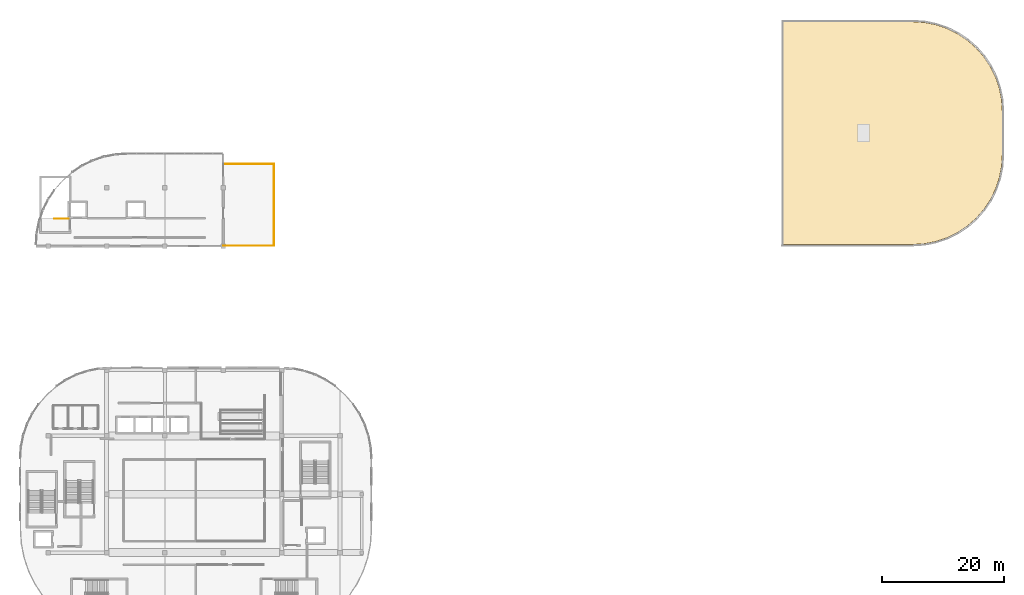
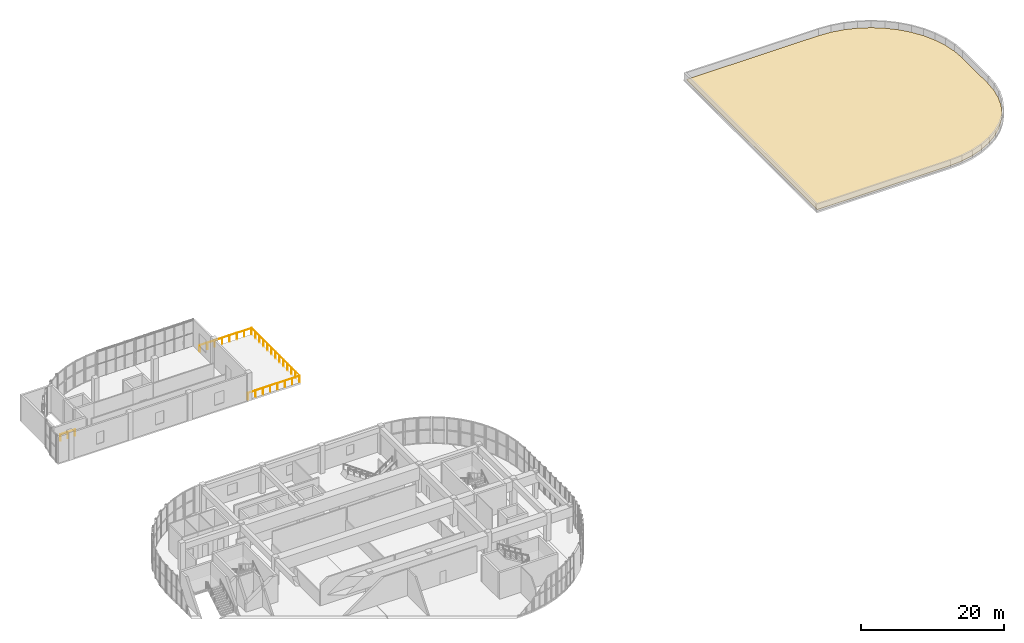
# One storey, part 27 of 28: 4 railings, 1 covering.
"""IFC4 building model written with IfcOpenShell, lengths in metres."""

from ifc_helpers import new_model, si_unit, direction, frame, origin, origin_2d, place, context, subcontext, project, spatial, polyline, circle, outline, extrude, material, layer, layer_set, type_object, element, save


model = new_model("IFC4")

# Units and contexts
model_context = context("Model", 3, precision=1e-05, world=origin(), true_north=direction((0.0, 1.0)))
body_context = subcontext(model_context, "Body", "Model", "MODEL_VIEW")
ifc_project = project(units=[si_unit("LENGTHUNIT", "METRE"), si_unit("AREAUNIT", "SQUARE_METRE"), si_unit("VOLUMEUNIT", "CUBIC_METRE"), si_unit("PLANEANGLEUNIT", "RADIAN"), si_unit("MASSUNIT", "GRAM", prefix="KILO")], contexts=[model_context])

# Site, building, storey
site_placement = place(None, origin())
site = spatial("IfcSite", under=ifc_project, at=site_placement, CompositionType="ELEMENT")
building_placement = place(site_placement, origin())
building = spatial("IfcBuilding", under=site, at=building_placement, Name="Cendralis Terraced Arcade", CompositionType="ELEMENT")
storey_placement = place(building_placement, frame((0.0, 0.0, 24.60009765625)))
storey = spatial("IfcBuildingStorey", under=building, at=storey_placement, Name="L05", CompositionType="ELEMENT", Elevation=24.60009765625)

# Covering
ifc_material_1 = material(Name="TPO insulated waterproofing membrane")
ifc_layer = layer(ifc_material_1, 0.080078125, Name="COV-ROOF-MEM-80")
ifc_layer_set = layer_set([ifc_layer], Name="TPO insulated waterproofing membrane")
covering_type = type_object("IfcCoveringType", Name="COV-ROOF-MEM-80", PredefinedType="ROOFING", material=ifc_layer_set)
covering_placement = place(storey_placement, origin())
element("IfcCovering", 1, at=covering_placement, inside=storey, type_object=covering_type, Name="Insulated Waterproofing Roof Membrane L05-07", PredefinedType="ROOFING", context=body_context, shape_type="SweptSolid", body=[
    extrude(outline(polyline([(155.609619140625, 106.017822265625), (157.432861328125, 105.39892578125), (159.15966796875, 104.54736328125), (160.760498046875, 103.477783203125), (162.208251953125, 102.208251953125), (163.477783203125, 100.760498046875), (164.54736328125, 99.15966796875), (165.39892578125, 97.432861328125), (166.017822265625, 95.609619140625), (166.3935546875, 93.72119140625), (166.52001953125, 91.790771484375), (166.52001953125, 84.609130859375), (166.3935546875, 82.6787109375), (166.017822265625, 80.790283203125), (165.39892578125, 78.967041015625), (164.54736328125, 77.240234375), (163.477783203125, 75.639404296875), (162.208251953125, 74.19189453125), (160.760498046875, 72.92236328125), (159.15966796875, 71.8525390625), (157.432861328125, 71.0009765625), (155.609619140625, 70.382080078125), (153.72119140625, 70.006591796875), (151.790771484375, 69.8798828125), (130.47998046875, 69.8798828125), (130.47998046875, 106.52001953125), (151.790771484375, 106.52001953125), (153.72119140625, 106.3935546875), (155.609619140625, 106.017822265625)])), origin(), (0.0, 0.0, 1.0), 0.079833984375),
])

# Railings
ifc_material_2 = material(Name="Brushed stainless steel AISI 316", Category="steel")
railing_type_1 = type_object("IfcRailingType", Name="RL-STAIR-GUARD-1100", PredefinedType="GUARDRAIL", material=ifc_material_2)
railing_1_placement = place(storey_placement, frame((13.0, 74.10009765625, 0.0)))
element("IfcRailing", 2, at=railing_1_placement, inside=storey, type_object=railing_type_1, Name="L05 ST-07 top well guard 1", PredefinedType="GUARDRAIL", context=body_context, shape_type="SweptSolid", body=[
    extrude(circle(Radius=0.02392578125, at=origin_2d()), frame((0.0, 0.0, 1.076171875), z_axis=(-1.0, 0.0, 0.0), x_axis=(0.0, -1.0, 0.0)), (0.0, 0.0, 1.0), 2.35009765625),
    extrude(circle(Radius=0.02099609375, at=origin_2d()), origin(), (0.0, 0.0, 1.0), 1.052001953125),
    extrude(circle(Radius=0.02099609375, at=origin_2d()), frame((-1.175048828125, 0.0, 0.0)), (0.0, 0.0, 1.0), 1.052001953125),
    extrude(circle(Radius=0.02099609375, at=origin_2d()), frame((-2.35009765625, 0.0, 0.0)), (0.0, 0.0, 1.0), 1.052001953125),
])
railing_type_2 = type_object("IfcRailingType", Name="RL-TER-GUARD-1150", PredefinedType="GUARDRAIL", material=ifc_material_2)
railing_2_placement = place(storey_placement, frame((38.39990234375, 69.679931640625, 0.0)))
element("IfcRailing", 3, at=railing_2_placement, inside=storey, type_object=railing_type_2, Name="Planted Terrace Perimeter Guardrail GR-TER-L05-018", PredefinedType="GUARDRAIL", context=body_context, shape_type="SweptSolid", body=[
    extrude(circle(Radius=0.02392578125, at=origin_2d()), frame((0.0, 0.0, 1.1259765625), z_axis=(1.0, 0.0, 0.0), x_axis=(0.0, 1.0, 0.0)), (0.0, 0.0, 1.0), 8.320068359375),
    extrude(circle(Radius=0.02099609375, at=origin_2d()), origin(), (0.0, 0.0, 1.0), 1.101806640625),
    extrude(circle(Radius=0.02099609375, at=origin_2d()), frame((1.1884765625, 0.0, 0.0)), (0.0, 0.0, 1.0), 1.101806640625),
    extrude(circle(Radius=0.02099609375, at=origin_2d()), frame((2.377197265625, 0.0, 0.0)), (0.0, 0.0, 1.0), 1.101806640625),
    extrude(circle(Radius=0.02099609375, at=origin_2d()), frame((3.565673828125, 0.0, 0.0)), (0.0, 0.0, 1.0), 1.101806640625),
    extrude(circle(Radius=0.02099609375, at=origin_2d()), frame((4.75439453125, 0.0, 0.0)), (0.0, 0.0, 1.0), 1.101806640625),
    extrude(circle(Radius=0.02099609375, at=origin_2d()), frame((5.94287109375, 0.0, 0.0)), (0.0, 0.0, 1.0), 1.101806640625),
    extrude(circle(Radius=0.02099609375, at=origin_2d()), frame((7.131591796875, 0.0, 0.0)), (0.0, 0.0, 1.0), 1.101806640625),
    extrude(circle(Radius=0.02099609375, at=origin_2d()), frame((8.320068359375, 0.0, 0.0)), (0.0, 0.0, 1.0), 1.101806640625),
])
railing_3_placement = place(storey_placement, frame((46.719970703125, 69.679931640625, 0.0)))
element("IfcRailing", 4, at=railing_3_placement, inside=storey, type_object=railing_type_2, Name="Planted Terrace Perimeter Guardrail GR-TER-L05-019", PredefinedType="GUARDRAIL", context=body_context, shape_type="SweptSolid", body=[
    extrude(circle(Radius=0.02392578125, at=origin_2d()), frame((0.0, 0.0, 1.1259765625), z_axis=(0.0, 1.0, 0.0), x_axis=(-1.0, 0.0, 0.0)), (0.0, 0.0, 1.0), 13.440185546875),
    extrude(circle(Radius=0.02099609375, at=origin_2d()), origin(), (0.0, 0.0, 1.0), 1.101806640625),
    extrude(circle(Radius=0.02099609375, at=origin_2d()), frame((0.0, 1.1201171875, 0.0)), (0.0, 0.0, 1.0), 1.101806640625),
    extrude(circle(Radius=0.02099609375, at=origin_2d()), frame((0.0, 2.239990234375, 0.0)), (0.0, 0.0, 1.0), 1.101806640625),
    extrude(circle(Radius=0.02099609375, at=origin_2d()), frame((0.0, 3.360107421875, 0.0)), (0.0, 0.0, 1.0), 1.101806640625),
    extrude(circle(Radius=0.02099609375, at=origin_2d()), frame((0.0, 4.47998046875, 0.0)), (0.0, 0.0, 1.0), 1.101806640625),
    extrude(circle(Radius=0.02099609375, at=origin_2d()), frame((0.0, 5.60009765625, 0.0)), (0.0, 0.0, 1.0), 1.101806640625),
    extrude(circle(Radius=0.02099609375, at=origin_2d()), frame((0.0, 6.72021484375, 0.0)), (0.0, 0.0, 1.0), 1.101806640625),
    extrude(circle(Radius=0.02099609375, at=origin_2d()), frame((0.0, 7.840087890625, 0.0)), (0.0, 0.0, 1.0), 1.101806640625),
    extrude(circle(Radius=0.02099609375, at=origin_2d()), frame((0.0, 8.960205078125, 0.0)), (0.0, 0.0, 1.0), 1.101806640625),
    extrude(circle(Radius=0.02099609375, at=origin_2d()), frame((0.0, 10.080078125, 0.0)), (0.0, 0.0, 1.0), 1.101806640625),
    extrude(circle(Radius=0.02099609375, at=origin_2d()), frame((0.0, 11.2001953125, 0.0)), (0.0, 0.0, 1.0), 1.101806640625),
    extrude(circle(Radius=0.02099609375, at=origin_2d()), frame((0.0, 12.320068359375, 0.0)), (0.0, 0.0, 1.0), 1.101806640625),
    extrude(circle(Radius=0.02099609375, at=origin_2d()), frame((0.0, 13.440185546875, 0.0)), (0.0, 0.0, 1.0), 1.101806640625),
])
railing_4_placement = place(storey_placement, frame((46.719970703125, 83.1201171875, 0.0)))
element("IfcRailing", 5, at=railing_4_placement, inside=storey, type_object=railing_type_2, Name="Planted Terrace Perimeter Guardrail GR-TER-L05-020", PredefinedType="GUARDRAIL", context=body_context, shape_type="SweptSolid", body=[
    extrude(circle(Radius=0.02392578125, at=origin_2d()), frame((0.0, 0.0, 1.1259765625), z_axis=(-1.0, 0.0, 0.0), x_axis=(0.0, -1.0, 0.0)), (0.0, 0.0, 1.0), 8.320068359375),
    extrude(circle(Radius=0.02099609375, at=origin_2d()), origin(), (0.0, 0.0, 1.0), 1.101806640625),
    extrude(circle(Radius=0.02099609375, at=origin_2d()), frame((-1.1884765625, 0.0, 0.0)), (0.0, 0.0, 1.0), 1.101806640625),
    extrude(circle(Radius=0.02099609375, at=origin_2d()), frame((-2.377197265625, 0.0, 0.0)), (0.0, 0.0, 1.0), 1.101806640625),
    extrude(circle(Radius=0.02099609375, at=origin_2d()), frame((-3.565673828125, 0.0, 0.0)), (0.0, 0.0, 1.0), 1.101806640625),
    extrude(circle(Radius=0.02099609375, at=origin_2d()), frame((-4.75439453125, 0.0, 0.0)), (0.0, 0.0, 1.0), 1.101806640625),
    extrude(circle(Radius=0.02099609375, at=origin_2d()), frame((-5.94287109375, 0.0, 0.0)), (0.0, 0.0, 1.0), 1.101806640625),
    extrude(circle(Radius=0.02099609375, at=origin_2d()), frame((-7.131591796875, 0.0, 0.0)), (0.0, 0.0, 1.0), 1.101806640625),
    extrude(circle(Radius=0.02099609375, at=origin_2d()), frame((-8.320068359375, 0.0, 0.0)), (0.0, 0.0, 1.0), 1.101806640625),
])

save(model, "model.ifc")
